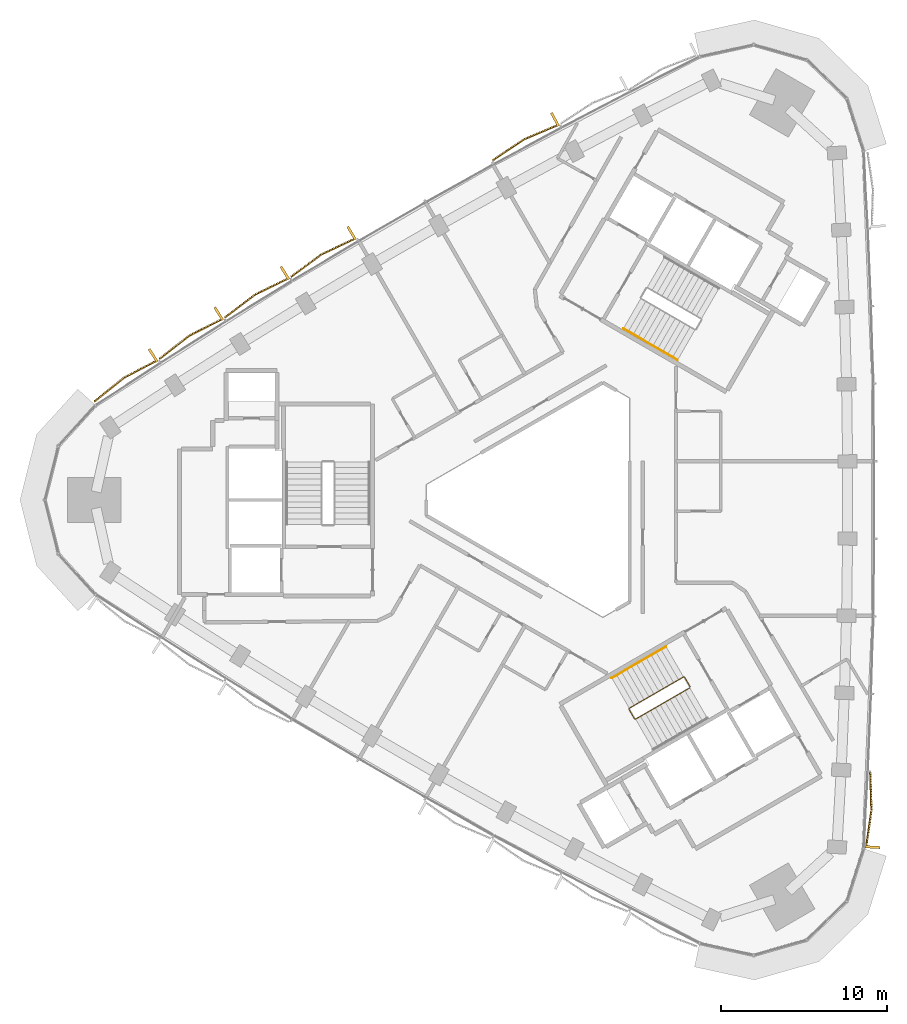
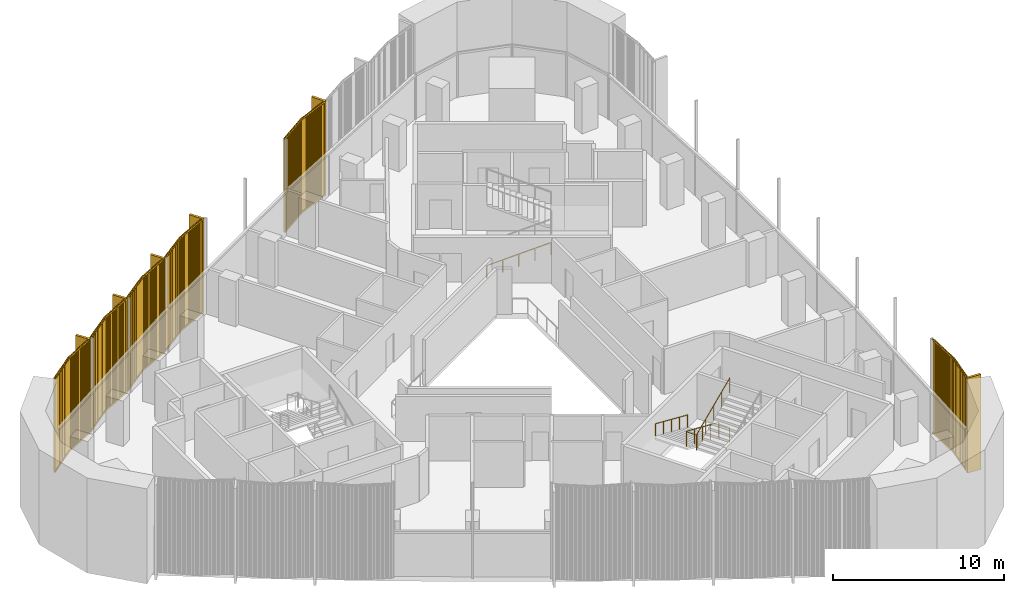
# One storey, part 12 of 13: 6 coverings, 3 railings.
"""IFC4 building model written with IfcOpenShell, lengths in metres."""

from ifc_helpers import new_model, si_unit, direction, frame, frame_2d, origin, origin_2d, place, context, subcontext, project, spatial, rectangle, circle, extrude, source, transform, mapped, material, type_object, element, save


model = new_model("IFC4")

# Units and contexts
model_context = context("Model", 3, precision=1e-05, world=origin(), true_north=direction((0.0, 1.0)))
body_context = subcontext(model_context, "Body", "Model", "MODEL_VIEW")
ifc_project = project(units=[si_unit("LENGTHUNIT", "METRE"), si_unit("AREAUNIT", "SQUARE_METRE"), si_unit("VOLUMEUNIT", "CUBIC_METRE"), si_unit("PLANEANGLEUNIT", "RADIAN"), si_unit("MASSUNIT", "GRAM", prefix="KILO")], contexts=[model_context])

# Site, building, storey
site_placement = place(None, origin())
site = spatial("IfcSite", under=ifc_project, at=site_placement, CompositionType="ELEMENT")
building_placement = place(site_placement, origin())
building = spatial("IfcBuilding", under=site, at=building_placement, Name="Tamra Quay Hotel Tower", CompositionType="ELEMENT")
storey_placement = place(building_placement, frame((0.0, 0.0, 204.39990234375)))
storey = spatial("IfcBuildingStorey", under=building, at=storey_placement, Name="L51", CompositionType="ELEMENT", Elevation=204.39990234375)

# Railings
ifc_material_1 = material(Name="Stair guard 1100")
railing_type_1 = type_object("IfcRailingType", Name="Stair guard 1100", PredefinedType="GUARDRAIL", material=ifc_material_1)
railing_1_placement = place(storey_placement, frame((8.245849609375, -11.221923828125, 0.0)))
element("IfcRailing", 1, at=railing_1_placement, inside=storey, type_object=railing_type_1, Name="GR", PredefinedType="GUARDRAIL", context=body_context, shape_type="SweptSolid", body=[
    extrude(circle(Radius=0.02392578125, at=origin_2d()), frame((0.0, 0.0, 1.076171875), z_axis=(-0.500043078269, 0.866000531106, 0.0), x_axis=(-0.866000531106, -0.500043078269, 0.0)), (0.0, 0.0, 1.0), 0.6591796875),
    extrude(circle(Radius=0.02392578125, at=origin_2d()), frame((-0.32958984375, 0.57080078125, 1.076171875), z_axis=(-0.411831509231, 0.110312011401, 0.90455849349), x_axis=(-0.258736085224, -0.965948051503, 0.0)), (0.0, 0.0, 1.0), 0.166015625),
    extrude(circle(Radius=0.02392578125, at=origin_2d()), frame((-0.39794921875, 0.589111328125, 1.22607421875), z_axis=(-0.793100512587, -0.457912285461, 0.401631567183), x_axis=(0.500012686397, -0.866018079166, 0.0)), (0.0, 0.0, 1.0), 4.10791015625),
    extrude(circle(Radius=0.02392578125, at=origin_2d()), frame((-3.656005859375, -1.2919921875, 2.8759765625), z_axis=(-0.256368644879, -0.966579080015, 0.0), x_axis=(0.966579080015, -0.256368644879, 0.0)), (0.0, 0.0, 1.0), 0.070556640625),
    extrude(circle(Radius=0.02392578125, at=origin_2d()), frame((-3.674072265625, -1.360107421875, 2.8759765625), z_axis=(0.499765215335, -0.866160914346, 0.0), x_axis=(0.866160914346, 0.499765215335, 0.0)), (0.0, 0.0, 1.0), 0.658935546875),
    extrude(circle(Radius=0.02392578125, at=origin_2d()), frame((-3.3447265625, -1.930908203125, 2.8759765625), z_axis=(0.411831509231, -0.110312011401, 0.90455849349), x_axis=(0.258736085224, 0.965948051503, 0.0)), (0.0, 0.0, 1.0), 0.166015625),
    extrude(circle(Radius=0.02392578125, at=origin_2d()), frame((-3.2763671875, -1.94921875, 3.0263671875), z_axis=(0.793100512587, 0.457912285461, 0.401631567183), x_axis=(-0.500012686397, 0.866018079166, 0.0)), (0.0, 0.0, 1.0), 4.10791015625),
    extrude(circle(Radius=0.02099609375, at=origin_2d()), origin(), (0.0, 0.0, 1.0), 1.052001953125),
    extrude(circle(Radius=0.02099609375, at=origin_2d()), frame((-0.32958984375, 0.57080078125, 0.0)), (0.0, 0.0, 1.0), 1.052001953125),
    extrude(circle(Radius=0.02099609375, at=origin_2d()), frame((-0.39794921875, 0.589111328125, 0.150146484375)), (0.0, 0.0, 1.0), 1.052001953125),
    extrude(circle(Radius=0.02099609375, at=origin_2d()), frame((-1.21240234375, 0.118896484375, 0.5625)), (0.0, 0.0, 1.0), 1.052001953125),
    extrude(circle(Radius=0.02099609375, at=origin_2d()), frame((-2.02685546875, -0.3515625, 0.97509765625)), (0.0, 0.0, 1.0), 1.052001953125),
    extrude(circle(Radius=0.02099609375, at=origin_2d()), frame((-2.841552734375, -0.82177734375, 1.3876953125)), (0.0, 0.0, 1.0), 1.052001953125),
    extrude(circle(Radius=0.02099609375, at=origin_2d()), frame((-3.656005859375, -1.2919921875, 1.800048828125)), (0.0, 0.0, 1.0), 1.052001953125),
    extrude(circle(Radius=0.02099609375, at=origin_2d()), frame((-3.674072265625, -1.360107421875, 1.800048828125)), (0.0, 0.0, 1.0), 1.052001953125),
    extrude(circle(Radius=0.02099609375, at=origin_2d()), frame((-3.3447265625, -1.930908203125, 1.800048828125)), (0.0, 0.0, 1.0), 1.052001953125),
    extrude(circle(Radius=0.02099609375, at=origin_2d()), frame((-3.2763671875, -1.94921875, 1.9501953125)), (0.0, 0.0, 1.0), 1.052001953125),
    extrude(circle(Radius=0.02099609375, at=origin_2d()), frame((-2.4619140625, -1.47900390625, 2.36279296875)), (0.0, 0.0, 1.0), 1.052001953125),
    extrude(circle(Radius=0.02099609375, at=origin_2d()), frame((-1.6474609375, -1.0087890625, 2.775146484375)), (0.0, 0.0, 1.0), 1.052001953125),
    extrude(circle(Radius=0.02099609375, at=origin_2d()), frame((-0.832763671875, -0.538330078125, 3.1875)), (0.0, 0.0, 1.0), 1.052001953125),
    extrude(circle(Radius=0.02099609375, at=origin_2d()), frame((-0.018310546875, -0.068115234375, 3.60009765625)), (0.0, 0.0, 1.0), 1.052001953125),
])
ifc_material_2 = material(Name="Stair handrail 900")
railing_type_2 = type_object("IfcRailingType", Name="Stair handrail 900", PredefinedType="HANDRAIL", material=ifc_material_2)
railing_2_placement = place(storey_placement, frame((4.234375, 10.294189453125, 0.150146484375)))
element("IfcRailing", 2, at=railing_2_placement, inside=storey, type_object=railing_type_2, Name="HR", PredefinedType="HANDRAIL", context=body_context, shape_type="SweptSolid", body=[
    extrude(circle(Radius=0.02392578125, at=origin_2d()), frame((0.0, 0.0, 0.8759765625), z_axis=(0.793122095483, -0.45786531462, 0.401642496911), x_axis=(0.499964013922, 0.86604617936, 0.0)), (0.0, 0.0, 1.0), 4.10791015625),
    extrude(circle(Radius=0.02099609375, at=origin_2d()), origin(), (0.0, 0.0, 1.0), 0.851806640625),
    extrude(circle(Radius=0.02099609375, at=origin_2d()), frame((0.814453125, -0.47021484375, 0.41259765625)), (0.0, 0.0, 1.0), 0.851806640625),
    extrude(circle(Radius=0.02099609375, at=origin_2d()), frame((1.62890625, -0.9404296875, 0.824951171875)), (0.0, 0.0, 1.0), 0.851806640625),
    extrude(circle(Radius=0.02099609375, at=origin_2d()), frame((2.443603515625, -1.41064453125, 1.2373046875)), (0.0, 0.0, 1.0), 0.851806640625),
    extrude(circle(Radius=0.02099609375, at=origin_2d()), frame((3.258056640625, -1.880859375, 1.64990234375)), (0.0, 0.0, 1.0), 0.851806640625),
])
railing_3_placement = place(storey_placement, frame((6.7978515625, -8.814208984375, 0.150146484375)))
element("IfcRailing", 3, at=railing_3_placement, inside=storey, type_object=railing_type_2, Name="HR", PredefinedType="HANDRAIL", context=body_context, shape_type="SweptSolid", body=[
    extrude(circle(Radius=0.02392578125, at=origin_2d()), frame((0.0, 0.0, 0.8759765625), z_axis=(-0.79310004713, -0.457886897714, 0.401661429744), x_axis=(0.499992114976, -0.866029956157, 0.0)), (0.0, 0.0, 1.0), 4.107666015625),
    extrude(circle(Radius=0.02099609375, at=origin_2d()), origin(), (0.0, 0.0, 1.0), 0.851806640625),
    extrude(circle(Radius=0.02099609375, at=origin_2d()), frame((-0.814453125, -0.47021484375, 0.41259765625)), (0.0, 0.0, 1.0), 0.851806640625),
    extrude(circle(Radius=0.02099609375, at=origin_2d()), frame((-1.62890625, -0.9404296875, 0.824951171875)), (0.0, 0.0, 1.0), 0.851806640625),
    extrude(circle(Radius=0.02099609375, at=origin_2d()), frame((-2.443359375, -1.41064453125, 1.2373046875)), (0.0, 0.0, 1.0), 0.851806640625),
    extrude(circle(Radius=0.02099609375, at=origin_2d()), frame((-3.2578125, -1.880859375, 1.64990234375)), (0.0, 0.0, 1.0), 0.851806640625),
])

# Coverings
ifc_material_3 = material(Name="Terracotta baguette extruded", Category="masonry")
covering_type_1 = type_object("IfcCoveringType", Name="BAGUETTE SCREEN E-V H6800", PredefinedType="USERDEFINED", material=ifc_material_3)
shared_shape_1 = source(origin(), body_context, "Body", "SweptSolid", [
    extrude(rectangle(XDim=2.291259765625, YDim=0.06005859375, at=frame_2d((1.1455078125, 0.030029296875))), frame((-2.287841796875, -0.057861328125, -0.1201171875), z_axis=(0.0, 0.0, 1.0), x_axis=(0.996194698092, -0.087155742748, 0.0)), (0.0, 0.0, 1.0), 0.1201171875),
    extrude(rectangle(XDim=2.291259765625, YDim=0.06005859375, at=frame_2d((1.1455078125, 0.030029296875))), frame((-2.287841796875, -0.057861328125, -6.800048828125), z_axis=(0.0, 0.0, 1.0), x_axis=(0.996194698092, -0.087155742748, 0.0)), (0.0, 0.0, 1.0), 0.1201171875),
    extrude(rectangle(XDim=0.070068359375, YDim=0.10009765625, at=frame_2d((0.03515625, 0.050048828125))), frame((-2.267822265625, -0.13232421875, -6.739990234375)), (0.0, 0.0, 1.0), 6.679931640625),
    extrude(rectangle(XDim=0.070068359375, YDim=0.10009765625, at=frame_2d((0.03515625, 0.050048828125))), frame((-2.168701171875, -0.14111328125, -6.739990234375)), (0.0, 0.0, 1.0), 6.679931640625),
    extrude(rectangle(XDim=0.070068359375, YDim=0.10009765625, at=frame_2d((0.03515625, 0.050048828125))), frame((-2.0693359375, -0.149658203125, -6.739990234375)), (0.0, 0.0, 1.0), 6.679931640625),
    extrude(rectangle(XDim=0.070068359375, YDim=0.10009765625, at=frame_2d((0.03515625, 0.050048828125))), frame((-1.97021484375, -0.158447265625, -6.739990234375)), (0.0, 0.0, 1.0), 6.679931640625),
    extrude(rectangle(XDim=0.070068359375, YDim=0.10009765625, at=frame_2d((0.03515625, 0.050048828125))), frame((-1.870849609375, -0.1669921875, -6.739990234375)), (0.0, 0.0, 1.0), 6.679931640625),
    extrude(rectangle(XDim=0.070068359375, YDim=0.10009765625, at=frame_2d((0.03515625, 0.050048828125))), frame((-1.771728515625, -0.17578125, -6.739990234375)), (0.0, 0.0, 1.0), 6.679931640625),
    extrude(rectangle(XDim=0.070068359375, YDim=0.10009765625, at=frame_2d((0.03515625, 0.050048828125))), frame((-1.67236328125, -0.184326171875, -6.739990234375)), (0.0, 0.0, 1.0), 6.679931640625),
    extrude(rectangle(XDim=0.070068359375, YDim=0.10009765625, at=frame_2d((0.03515625, 0.050048828125))), frame((-1.5732421875, -0.193115234375, -6.739990234375)), (0.0, 0.0, 1.0), 6.679931640625),
    extrude(rectangle(XDim=0.070068359375, YDim=0.10009765625, at=frame_2d((0.03515625, 0.050048828125))), frame((-1.473876953125, -0.201904296875, -6.739990234375)), (0.0, 0.0, 1.0), 6.679931640625),
    extrude(rectangle(XDim=0.070068359375, YDim=0.10009765625, at=frame_2d((0.03515625, 0.050048828125))), frame((-1.374755859375, -0.21044921875, -6.739990234375)), (0.0, 0.0, 1.0), 6.679931640625),
    extrude(rectangle(XDim=0.070068359375, YDim=0.10009765625, at=frame_2d((0.03515625, 0.050048828125))), frame((-1.275390625, -0.21923828125, -6.739990234375)), (0.0, 0.0, 1.0), 6.679931640625),
    extrude(rectangle(XDim=0.070068359375, YDim=0.10009765625, at=frame_2d((0.03515625, 0.050048828125))), frame((-1.17626953125, -0.227783203125, -6.739990234375)), (0.0, 0.0, 1.0), 6.679931640625),
    extrude(rectangle(XDim=0.070068359375, YDim=0.10009765625, at=frame_2d((0.03515625, 0.050048828125))), frame((-1.076904296875, -0.236572265625, -6.739990234375)), (0.0, 0.0, 1.0), 6.679931640625),
    extrude(rectangle(XDim=0.070068359375, YDim=0.10009765625, at=frame_2d((0.03515625, 0.050048828125))), frame((-0.977783203125, -0.2451171875, -6.739990234375)), (0.0, 0.0, 1.0), 6.679931640625),
    extrude(rectangle(XDim=0.070068359375, YDim=0.10009765625, at=frame_2d((0.03515625, 0.050048828125))), frame((-0.87841796875, -0.25390625, -6.739990234375)), (0.0, 0.0, 1.0), 6.679931640625),
    extrude(rectangle(XDim=0.070068359375, YDim=0.10009765625, at=frame_2d((0.03515625, 0.050048828125))), frame((-0.779296875, -0.2626953125, -6.739990234375)), (0.0, 0.0, 1.0), 6.679931640625),
    extrude(rectangle(XDim=0.070068359375, YDim=0.10009765625, at=frame_2d((0.03515625, 0.050048828125))), frame((-0.679931640625, -0.271240234375, -6.739990234375)), (0.0, 0.0, 1.0), 6.679931640625),
    extrude(rectangle(XDim=0.070068359375, YDim=0.10009765625, at=frame_2d((0.03515625, 0.050048828125))), frame((-0.580810546875, -0.280029296875, -6.739990234375)), (0.0, 0.0, 1.0), 6.679931640625),
    extrude(rectangle(XDim=0.070068359375, YDim=0.10009765625, at=frame_2d((0.03515625, 0.050048828125))), frame((-0.481689453125, -0.28857421875, -6.739990234375)), (0.0, 0.0, 1.0), 6.679931640625),
    extrude(rectangle(XDim=0.070068359375, YDim=0.10009765625, at=frame_2d((0.03515625, 0.050048828125))), frame((-0.38232421875, -0.29736328125, -6.739990234375)), (0.0, 0.0, 1.0), 6.679931640625),
    extrude(rectangle(XDim=0.070068359375, YDim=0.10009765625, at=frame_2d((0.03515625, 0.050048828125))), frame((-0.283203125, -0.305908203125, -6.739990234375)), (0.0, 0.0, 1.0), 6.679931640625),
    extrude(rectangle(XDim=0.070068359375, YDim=0.10009765625, at=frame_2d((0.03515625, 0.050048828125))), frame((-0.183837890625, -0.314697265625, -6.739990234375)), (0.0, 0.0, 1.0), 6.679931640625),
    extrude(rectangle(XDim=0.070068359375, YDim=0.10009765625, at=frame_2d((0.03515625, 0.050048828125))), frame((-0.084716796875, -0.3232421875, -6.739990234375)), (0.0, 0.0, 1.0), 6.679931640625),
    extrude(rectangle(XDim=2.291259765625, YDim=0.06005859375, at=frame_2d((1.1455078125, 0.030029296875))), frame((0.005126953125, -0.257568359375, -0.1201171875), z_axis=(0.0, 0.0, 1.0), x_axis=(0.996194698092, 0.087155742748, 0.0)), (0.0, 0.0, 1.0), 0.1201171875),
    extrude(rectangle(XDim=2.291259765625, YDim=0.06005859375, at=frame_2d((1.1455078125, 0.030029296875))), frame((0.005126953125, -0.257568359375, -6.800048828125), z_axis=(0.0, 0.0, 1.0), x_axis=(0.996194698092, 0.087155742748, 0.0)), (0.0, 0.0, 1.0), 0.1201171875),
    extrude(rectangle(XDim=0.070068359375, YDim=0.10009765625, at=frame_2d((0.03515625, 0.050048828125))), frame((0.0146484375, -0.3232421875, -6.739990234375)), (0.0, 0.0, 1.0), 6.679931640625),
    extrude(rectangle(XDim=0.070068359375, YDim=0.10009765625, at=frame_2d((0.03515625, 0.050048828125))), frame((0.11376953125, -0.314697265625, -6.739990234375)), (0.0, 0.0, 1.0), 6.679931640625),
    extrude(rectangle(XDim=0.070068359375, YDim=0.10009765625, at=frame_2d((0.03515625, 0.050048828125))), frame((0.213134765625, -0.305908203125, -6.739990234375)), (0.0, 0.0, 1.0), 6.679931640625),
    extrude(rectangle(XDim=0.070068359375, YDim=0.10009765625, at=frame_2d((0.03515625, 0.050048828125))), frame((0.312255859375, -0.29736328125, -6.739990234375)), (0.0, 0.0, 1.0), 6.679931640625),
    extrude(rectangle(XDim=0.070068359375, YDim=0.10009765625, at=frame_2d((0.03515625, 0.050048828125))), frame((0.41162109375, -0.28857421875, -6.739990234375)), (0.0, 0.0, 1.0), 6.679931640625),
    extrude(rectangle(XDim=0.070068359375, YDim=0.10009765625, at=frame_2d((0.03515625, 0.050048828125))), frame((0.5107421875, -0.280029296875, -6.739990234375)), (0.0, 0.0, 1.0), 6.679931640625),
    extrude(rectangle(XDim=0.070068359375, YDim=0.10009765625, at=frame_2d((0.03515625, 0.050048828125))), frame((0.610107421875, -0.271240234375, -6.739990234375)), (0.0, 0.0, 1.0), 6.679931640625),
    extrude(rectangle(XDim=0.070068359375, YDim=0.10009765625, at=frame_2d((0.03515625, 0.050048828125))), frame((0.709228515625, -0.2626953125, -6.739990234375)), (0.0, 0.0, 1.0), 6.679931640625),
    extrude(rectangle(XDim=0.070068359375, YDim=0.10009765625, at=frame_2d((0.03515625, 0.050048828125))), frame((0.80859375, -0.25390625, -6.739990234375)), (0.0, 0.0, 1.0), 6.679931640625),
    extrude(rectangle(XDim=0.070068359375, YDim=0.10009765625, at=frame_2d((0.03515625, 0.050048828125))), frame((0.90771484375, -0.2451171875, -6.739990234375)), (0.0, 0.0, 1.0), 6.679931640625),
    extrude(rectangle(XDim=0.070068359375, YDim=0.10009765625, at=frame_2d((0.03515625, 0.050048828125))), frame((1.007080078125, -0.236572265625, -6.739990234375)), (0.0, 0.0, 1.0), 6.679931640625),
    extrude(rectangle(XDim=0.070068359375, YDim=0.10009765625, at=frame_2d((0.03515625, 0.050048828125))), frame((1.106201171875, -0.227783203125, -6.739990234375)), (0.0, 0.0, 1.0), 6.679931640625),
    extrude(rectangle(XDim=0.070068359375, YDim=0.10009765625, at=frame_2d((0.03515625, 0.050048828125))), frame((1.20556640625, -0.21923828125, -6.739990234375)), (0.0, 0.0, 1.0), 6.679931640625),
    extrude(rectangle(XDim=0.070068359375, YDim=0.10009765625, at=frame_2d((0.03515625, 0.050048828125))), frame((1.3046875, -0.21044921875, -6.739990234375)), (0.0, 0.0, 1.0), 6.679931640625),
    extrude(rectangle(XDim=0.070068359375, YDim=0.10009765625, at=frame_2d((0.03515625, 0.050048828125))), frame((1.404052734375, -0.201904296875, -6.739990234375)), (0.0, 0.0, 1.0), 6.679931640625),
    extrude(rectangle(XDim=0.070068359375, YDim=0.10009765625, at=frame_2d((0.03515625, 0.050048828125))), frame((1.503173828125, -0.193115234375, -6.739990234375)), (0.0, 0.0, 1.0), 6.679931640625),
    extrude(rectangle(XDim=0.070068359375, YDim=0.10009765625, at=frame_2d((0.03515625, 0.050048828125))), frame((1.6025390625, -0.184326171875, -6.739990234375)), (0.0, 0.0, 1.0), 6.679931640625),
    extrude(rectangle(XDim=0.070068359375, YDim=0.10009765625, at=frame_2d((0.03515625, 0.050048828125))), frame((1.70166015625, -0.17578125, -6.739990234375)), (0.0, 0.0, 1.0), 6.679931640625),
    extrude(rectangle(XDim=0.070068359375, YDim=0.10009765625, at=frame_2d((0.03515625, 0.050048828125))), frame((1.801025390625, -0.1669921875, -6.739990234375)), (0.0, 0.0, 1.0), 6.679931640625),
    extrude(rectangle(XDim=0.070068359375, YDim=0.10009765625, at=frame_2d((0.03515625, 0.050048828125))), frame((1.900146484375, -0.158447265625, -6.739990234375)), (0.0, 0.0, 1.0), 6.679931640625),
    extrude(rectangle(XDim=0.070068359375, YDim=0.10009765625, at=frame_2d((0.03515625, 0.050048828125))), frame((1.99951171875, -0.149658203125, -6.739990234375)), (0.0, 0.0, 1.0), 6.679931640625),
    extrude(rectangle(XDim=0.070068359375, YDim=0.10009765625, at=frame_2d((0.03515625, 0.050048828125))), frame((2.0986328125, -0.14111328125, -6.739990234375)), (0.0, 0.0, 1.0), 6.679931640625),
    extrude(rectangle(XDim=0.070068359375, YDim=0.10009765625, at=frame_2d((0.03515625, 0.050048828125))), frame((2.197998046875, -0.13232421875, -6.739990234375)), (0.0, 0.0, 1.0), 6.679931640625),
    extrude(rectangle(XDim=0.14990234375, YDim=0.902099609375, at=frame_2d((0.074951171875, 0.451171875))), frame((-2.282470703125, -0.89990234375, -6.800048828125)), (0.0, 0.0, 1.0), 6.800048828125),
])
covering_placement = place(storey_placement, frame((18.88232421875, -18.6337890625, 6.800048828125), z_axis=(0.0, 0.0, 1.0), x_axis=(0.055416978175, 0.998463298539, 0.0)))
element("IfcCovering", 4, at=covering_placement, inside=storey, type_object=covering_type_1, Name="Baguette screen L51.E.f00", ObjectType="BAGUETTE SCREEN", PredefinedType="USERDEFINED", context=body_context, shape_type="MappedRepresentation", body=[
    mapped(shared_shape_1, transform((0.0, 0.0, 0.0), scale=1.0)),
])
covering_type_2 = type_object("IfcCoveringType", Name="BAGUETTE SCREEN NW-V H6800", PredefinedType="USERDEFINED", material=ifc_material_3)
shared_shape_2 = source(origin(), body_context, "Body", "SweptSolid", [
    extrude(rectangle(XDim=2.29296875, YDim=0.06005859375, at=frame_2d((1.146484375, 0.030029296875))), frame((-2.288330078125, -0.0576171875, -0.1201171875), z_axis=(0.0, 0.0, 1.0), x_axis=(0.995396198367, -0.09584575252, 0.0)), (0.0, 0.0, 1.0), 0.1201171875),
    extrude(rectangle(XDim=2.29296875, YDim=0.06005859375, at=frame_2d((1.146484375, 0.030029296875))), frame((-2.288330078125, -0.0576171875, -6.800048828125), z_axis=(0.0, 0.0, 1.0), x_axis=(0.995396198367, -0.09584575252, 0.0)), (0.0, 0.0, 1.0), 0.1201171875),
    extrude(rectangle(XDim=0.070068359375, YDim=0.10009765625, at=frame_2d((0.03515625, 0.050048828125))), frame((-2.267822265625, -0.1328125, -6.739990234375)), (0.0, 0.0, 1.0), 6.679931640625),
    extrude(rectangle(XDim=0.070068359375, YDim=0.10009765625, at=frame_2d((0.03515625, 0.050048828125))), frame((-2.168701171875, -0.142333984375, -6.739990234375)), (0.0, 0.0, 1.0), 6.679931640625),
    extrude(rectangle(XDim=0.070068359375, YDim=0.10009765625, at=frame_2d((0.03515625, 0.050048828125))), frame((-2.0693359375, -0.15185546875, -6.739990234375)), (0.0, 0.0, 1.0), 6.679931640625),
    extrude(rectangle(XDim=0.070068359375, YDim=0.10009765625, at=frame_2d((0.03515625, 0.050048828125))), frame((-1.97021484375, -0.161376953125, -6.739990234375)), (0.0, 0.0, 1.0), 6.679931640625),
    extrude(rectangle(XDim=0.070068359375, YDim=0.10009765625, at=frame_2d((0.03515625, 0.050048828125))), frame((-1.870849609375, -0.1708984375, -6.739990234375)), (0.0, 0.0, 1.0), 6.679931640625),
    extrude(rectangle(XDim=0.070068359375, YDim=0.10009765625, at=frame_2d((0.03515625, 0.050048828125))), frame((-1.771728515625, -0.1806640625, -6.739990234375)), (0.0, 0.0, 1.0), 6.679931640625),
    extrude(rectangle(XDim=0.070068359375, YDim=0.10009765625, at=frame_2d((0.03515625, 0.050048828125))), frame((-1.67236328125, -0.190185546875, -6.739990234375)), (0.0, 0.0, 1.0), 6.679931640625),
    extrude(rectangle(XDim=0.070068359375, YDim=0.10009765625, at=frame_2d((0.03515625, 0.050048828125))), frame((-1.5732421875, -0.19970703125, -6.739990234375)), (0.0, 0.0, 1.0), 6.679931640625),
    extrude(rectangle(XDim=0.070068359375, YDim=0.10009765625, at=frame_2d((0.03515625, 0.050048828125))), frame((-1.473876953125, -0.209228515625, -6.739990234375)), (0.0, 0.0, 1.0), 6.679931640625),
    extrude(rectangle(XDim=0.070068359375, YDim=0.10009765625, at=frame_2d((0.03515625, 0.050048828125))), frame((-1.374755859375, -0.21875, -6.739990234375)), (0.0, 0.0, 1.0), 6.679931640625),
    extrude(rectangle(XDim=0.070068359375, YDim=0.10009765625, at=frame_2d((0.03515625, 0.050048828125))), frame((-1.275390625, -0.228271484375, -6.739990234375)), (0.0, 0.0, 1.0), 6.679931640625),
    extrude(rectangle(XDim=0.070068359375, YDim=0.10009765625, at=frame_2d((0.03515625, 0.050048828125))), frame((-1.17626953125, -0.23779296875, -6.739990234375)), (0.0, 0.0, 1.0), 6.679931640625),
    extrude(rectangle(XDim=0.070068359375, YDim=0.10009765625, at=frame_2d((0.03515625, 0.050048828125))), frame((-1.076904296875, -0.24755859375, -6.739990234375)), (0.0, 0.0, 1.0), 6.679931640625),
    extrude(rectangle(XDim=0.070068359375, YDim=0.10009765625, at=frame_2d((0.03515625, 0.050048828125))), frame((-0.977783203125, -0.257080078125, -6.739990234375)), (0.0, 0.0, 1.0), 6.679931640625),
    extrude(rectangle(XDim=0.070068359375, YDim=0.10009765625, at=frame_2d((0.03515625, 0.050048828125))), frame((-0.87841796875, -0.2666015625, -6.739990234375)), (0.0, 0.0, 1.0), 6.679931640625),
    extrude(rectangle(XDim=0.070068359375, YDim=0.10009765625, at=frame_2d((0.03515625, 0.050048828125))), frame((-0.779296875, -0.276123046875, -6.739990234375)), (0.0, 0.0, 1.0), 6.679931640625),
    extrude(rectangle(XDim=0.070068359375, YDim=0.10009765625, at=frame_2d((0.03515625, 0.050048828125))), frame((-0.679931640625, -0.28564453125, -6.739990234375)), (0.0, 0.0, 1.0), 6.679931640625),
    extrude(rectangle(XDim=0.070068359375, YDim=0.10009765625, at=frame_2d((0.03515625, 0.050048828125))), frame((-0.580810546875, -0.295166015625, -6.739990234375)), (0.0, 0.0, 1.0), 6.679931640625),
    extrude(rectangle(XDim=0.070068359375, YDim=0.10009765625, at=frame_2d((0.03515625, 0.050048828125))), frame((-0.481689453125, -0.3046875, -6.739990234375)), (0.0, 0.0, 1.0), 6.679931640625),
    extrude(rectangle(XDim=0.070068359375, YDim=0.10009765625, at=frame_2d((0.03515625, 0.050048828125))), frame((-0.38232421875, -0.314453125, -6.739990234375)), (0.0, 0.0, 1.0), 6.679931640625),
    extrude(rectangle(XDim=0.070068359375, YDim=0.10009765625, at=frame_2d((0.03515625, 0.050048828125))), frame((-0.283203125, -0.323974609375, -6.739990234375)), (0.0, 0.0, 1.0), 6.679931640625),
    extrude(rectangle(XDim=0.070068359375, YDim=0.10009765625, at=frame_2d((0.03515625, 0.050048828125))), frame((-0.183837890625, -0.33349609375, -6.739990234375)), (0.0, 0.0, 1.0), 6.679931640625),
    extrude(rectangle(XDim=0.070068359375, YDim=0.10009765625, at=frame_2d((0.03515625, 0.050048828125))), frame((-0.084716796875, -0.343017578125, -6.739990234375)), (0.0, 0.0, 1.0), 6.679931640625),
    extrude(rectangle(XDim=2.29296875, YDim=0.06005859375, at=frame_2d((1.146484375, 0.030029296875))), frame((0.005859375, -0.277587890625, -0.1201171875), z_axis=(0.0, 0.0, 1.0), x_axis=(0.995396198367, 0.09584575252, 0.0)), (0.0, 0.0, 1.0), 0.1201171875),
    extrude(rectangle(XDim=2.29296875, YDim=0.06005859375, at=frame_2d((1.146484375, 0.030029296875))), frame((0.005859375, -0.277587890625, -6.800048828125), z_axis=(0.0, 0.0, 1.0), x_axis=(0.995396198367, 0.09584575252, 0.0)), (0.0, 0.0, 1.0), 0.1201171875),
    extrude(rectangle(XDim=0.070068359375, YDim=0.10009765625, at=frame_2d((0.03515625, 0.050048828125))), frame((0.0146484375, -0.343017578125, -6.739990234375)), (0.0, 0.0, 1.0), 6.679931640625),
    extrude(rectangle(XDim=0.070068359375, YDim=0.10009765625, at=frame_2d((0.03515625, 0.050048828125))), frame((0.11376953125, -0.33349609375, -6.739990234375)), (0.0, 0.0, 1.0), 6.679931640625),
    extrude(rectangle(XDim=0.070068359375, YDim=0.10009765625, at=frame_2d((0.03515625, 0.050048828125))), frame((0.213134765625, -0.323974609375, -6.739990234375)), (0.0, 0.0, 1.0), 6.679931640625),
    extrude(rectangle(XDim=0.070068359375, YDim=0.10009765625, at=frame_2d((0.03515625, 0.050048828125))), frame((0.312255859375, -0.314453125, -6.739990234375)), (0.0, 0.0, 1.0), 6.679931640625),
    extrude(rectangle(XDim=0.070068359375, YDim=0.10009765625, at=frame_2d((0.03515625, 0.050048828125))), frame((0.41162109375, -0.3046875, -6.739990234375)), (0.0, 0.0, 1.0), 6.679931640625),
    extrude(rectangle(XDim=0.070068359375, YDim=0.10009765625, at=frame_2d((0.03515625, 0.050048828125))), frame((0.5107421875, -0.295166015625, -6.739990234375)), (0.0, 0.0, 1.0), 6.679931640625),
    extrude(rectangle(XDim=0.070068359375, YDim=0.10009765625, at=frame_2d((0.03515625, 0.050048828125))), frame((0.610107421875, -0.28564453125, -6.739990234375)), (0.0, 0.0, 1.0), 6.679931640625),
    extrude(rectangle(XDim=0.070068359375, YDim=0.10009765625, at=frame_2d((0.03515625, 0.050048828125))), frame((0.709228515625, -0.276123046875, -6.739990234375)), (0.0, 0.0, 1.0), 6.679931640625),
    extrude(rectangle(XDim=0.070068359375, YDim=0.10009765625, at=frame_2d((0.03515625, 0.050048828125))), frame((0.80859375, -0.2666015625, -6.739990234375)), (0.0, 0.0, 1.0), 6.679931640625),
    extrude(rectangle(XDim=0.070068359375, YDim=0.10009765625, at=frame_2d((0.03515625, 0.050048828125))), frame((0.90771484375, -0.257080078125, -6.739990234375)), (0.0, 0.0, 1.0), 6.679931640625),
    extrude(rectangle(XDim=0.070068359375, YDim=0.10009765625, at=frame_2d((0.03515625, 0.050048828125))), frame((1.007080078125, -0.24755859375, -6.739990234375)), (0.0, 0.0, 1.0), 6.679931640625),
    extrude(rectangle(XDim=0.070068359375, YDim=0.10009765625, at=frame_2d((0.03515625, 0.050048828125))), frame((1.106201171875, -0.23779296875, -6.739990234375)), (0.0, 0.0, 1.0), 6.679931640625),
    extrude(rectangle(XDim=0.070068359375, YDim=0.10009765625, at=frame_2d((0.03515625, 0.050048828125))), frame((1.20556640625, -0.228271484375, -6.739990234375)), (0.0, 0.0, 1.0), 6.679931640625),
    extrude(rectangle(XDim=0.070068359375, YDim=0.10009765625, at=frame_2d((0.03515625, 0.050048828125))), frame((1.3046875, -0.21875, -6.739990234375)), (0.0, 0.0, 1.0), 6.679931640625),
    extrude(rectangle(XDim=0.070068359375, YDim=0.10009765625, at=frame_2d((0.03515625, 0.050048828125))), frame((1.404052734375, -0.209228515625, -6.739990234375)), (0.0, 0.0, 1.0), 6.679931640625),
    extrude(rectangle(XDim=0.070068359375, YDim=0.10009765625, at=frame_2d((0.03515625, 0.050048828125))), frame((1.503173828125, -0.19970703125, -6.739990234375)), (0.0, 0.0, 1.0), 6.679931640625),
    extrude(rectangle(XDim=0.070068359375, YDim=0.10009765625, at=frame_2d((0.03515625, 0.050048828125))), frame((1.6025390625, -0.190185546875, -6.739990234375)), (0.0, 0.0, 1.0), 6.679931640625),
    extrude(rectangle(XDim=0.070068359375, YDim=0.10009765625, at=frame_2d((0.03515625, 0.050048828125))), frame((1.70166015625, -0.1806640625, -6.739990234375)), (0.0, 0.0, 1.0), 6.679931640625),
    extrude(rectangle(XDim=0.070068359375, YDim=0.10009765625, at=frame_2d((0.03515625, 0.050048828125))), frame((1.801025390625, -0.1708984375, -6.739990234375)), (0.0, 0.0, 1.0), 6.679931640625),
    extrude(rectangle(XDim=0.070068359375, YDim=0.10009765625, at=frame_2d((0.03515625, 0.050048828125))), frame((1.900146484375, -0.161376953125, -6.739990234375)), (0.0, 0.0, 1.0), 6.679931640625),
    extrude(rectangle(XDim=0.070068359375, YDim=0.10009765625, at=frame_2d((0.03515625, 0.050048828125))), frame((1.99951171875, -0.15185546875, -6.739990234375)), (0.0, 0.0, 1.0), 6.679931640625),
    extrude(rectangle(XDim=0.070068359375, YDim=0.10009765625, at=frame_2d((0.03515625, 0.050048828125))), frame((2.0986328125, -0.142333984375, -6.739990234375)), (0.0, 0.0, 1.0), 6.679931640625),
    extrude(rectangle(XDim=0.070068359375, YDim=0.10009765625, at=frame_2d((0.03515625, 0.050048828125))), frame((2.197998046875, -0.1328125, -6.739990234375)), (0.0, 0.0, 1.0), 6.679931640625),
    extrude(rectangle(XDim=0.14990234375, YDim=0.902099609375, at=frame_2d((0.074951171875, 0.451171875))), frame((-2.282470703125, -0.89990234375, -6.800048828125)), (0.0, 0.0, 1.0), 6.800048828125),
])
for number, where, z_axis, x_axis, name in (
    (5, (-1.60595703125, 21.427734375, 6.800048828125), (0.0, 0.0, 1.0), (-0.879568649865, -0.475771993896, 0.0), "Baguette screen L51.NW.f02"),
    (6, (-13.76611328125, 14.519287109375, 6.800048828125), (0.0, 0.0, 1.0), (-0.858998908749, -0.511977416268, 0.0), "Baguette screen L51.NW.f05"),
    (7, (-17.754150390625, 12.104736328125, 6.800048828125), (0.0, 0.0, 1.0), (-0.851814958055, -0.523842798207, 0.0), "Baguette screen L51.NW.f06"),
    (8, (-21.708251953125, 9.63525390625, 6.800048828125), (0.0, 0.0, 1.0), (-0.844475815543, -0.535593686448, 0.0), "Baguette screen L51.NW.f07"),
    (9, (-25.627685546875, 7.111083984375, 6.800048828125), (0.0, 0.0, 1.0), (-0.836986092194, -0.54722416017, 0.0), "Baguette screen L51.NW.f08"),
):
    element("IfcCovering", number, at=place(storey_placement, frame(where, z_axis=z_axis, x_axis=x_axis)), inside=storey, type_object=covering_type_2, Name=name, ObjectType="BAGUETTE SCREEN", PredefinedType="USERDEFINED", context=body_context, shape_type="MappedRepresentation", body=[
        mapped(shared_shape_2, transform((0.0, 0.0, 0.0), scale=1.0)),
    ])

save(model, "model.ifc")
